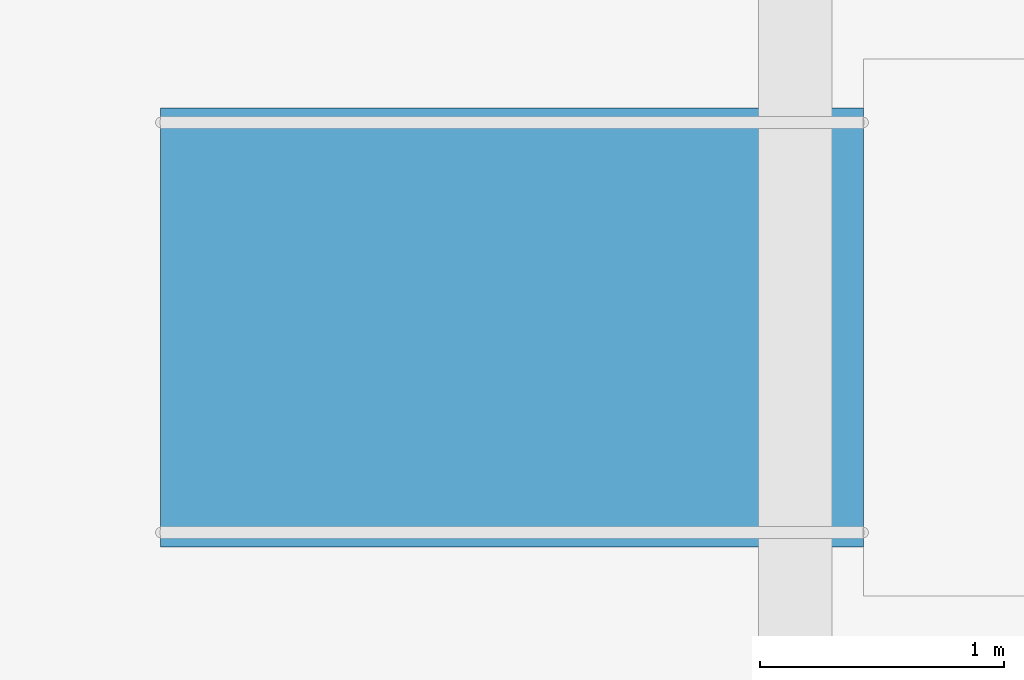
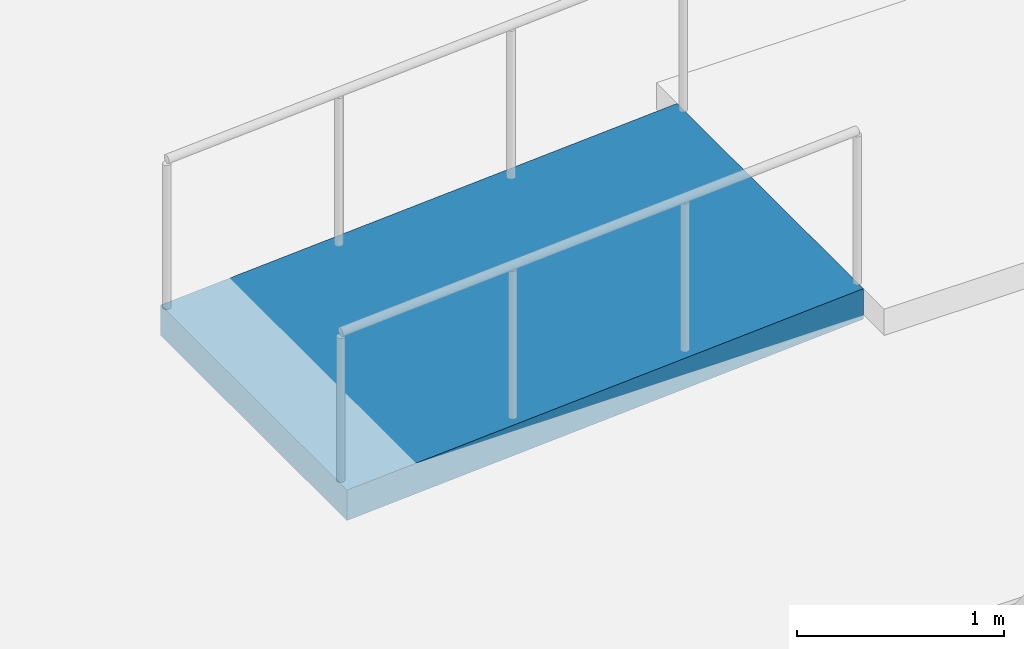
# One storey, part 48 of 72: 1 ramp flight, 1 element without a shape of its own.
"""IFC4 building model written with IfcOpenShell, lengths in metres."""

from ifc_helpers import new_model, si_unit, direction, frame, origin, place, context, subcontext, project, spatial, polyline, outline, extrude, material, layer, layer_set, type_object, element, aggregate, save


model = new_model("IFC4")

# Units and contexts
model_context = context("Model", 3, precision=1e-05, world=origin(), true_north=direction((0.0, 1.0)))
body_context = subcontext(model_context, "Body", "Model", "MODEL_VIEW")
ifc_project = project(units=[si_unit("LENGTHUNIT", "METRE"), si_unit("AREAUNIT", "SQUARE_METRE"), si_unit("VOLUMEUNIT", "CUBIC_METRE"), si_unit("PLANEANGLEUNIT", "RADIAN"), si_unit("MASSUNIT", "GRAM", prefix="KILO")], contexts=[model_context])

# Site, building, storey
site_placement = place(None, origin())
site = spatial("IfcSite", under=ifc_project, at=site_placement, CompositionType="ELEMENT")
building_placement = place(site_placement, origin())
building = spatial("IfcBuilding", under=site, at=building_placement, Name="Sillaruma Civic Art Gallery", CompositionType="ELEMENT")
storey_placement = place(building_placement, frame((0.0, 0.0, 10.8798828125)))
storey = spatial("IfcBuildingStorey", under=building, at=storey_placement, Name="L02", CompositionType="ELEMENT", Elevation=10.8798828125)

# Ramp, ramp flight
ifc_material = material(Name="Concrete H35 (35 MPa)", Category="concrete")
ramp_type = type_object("IfcRampType", Name="RMP-ACC-01", PredefinedType="STRAIGHT_RUN_RAMP", material=ifc_material)
ramp_placement = place(storey_placement, origin())
ramp = element("IfcRamp", 1, at=ramp_placement, inside=storey, type_object=ramp_type, Name="Learning Auditorium Accessible Stage Ramp RMP-G02", PredefinedType="STRAIGHT_RUN_RAMP")
ifc_layer = layer(ifc_material, 0.179931640625, Name="Concrete H35 (35 MPa)")
ifc_layer_set = layer_set([ifc_layer], Name="Concrete H35 (35 MPa)")
ramp_flight_type = type_object("IfcRampFlightType", Name="RMP-FLT-01", PredefinedType="STRAIGHT", material=ifc_layer_set)
ramp_flight_placement = place(storey_placement, frame((16.0, 83.0, 0.0), z_axis=(0.0, 0.0, 1.0), x_axis=(1.0, 0.0, 0.0)))
ramp_flight = element("IfcRampFlight", 2, at=ramp_flight_placement, type_object=ramp_flight_type, Name="Learning Auditorium Accessible Stage Ramp RMP-G02 Flight", PredefinedType="STRAIGHT", context=body_context, shape_type="SweptSolid", body=[
    extrude(outline(polyline([(0.0, 0.0), (2.8798828125, 0.179931640625), (2.8798828125, 0.0), (0.0, -0.179931640625), (0.0, 0.0)])), frame((0.0, 0.89990234375, 0.0), z_axis=(0.0, -1.0, 0.0), x_axis=(1.0, 0.0, 0.0)), (0.0, 0.0, 1.0), 1.800048828125),
])
aggregate(ramp, [ramp_flight])

save(model, "model.ifc")
